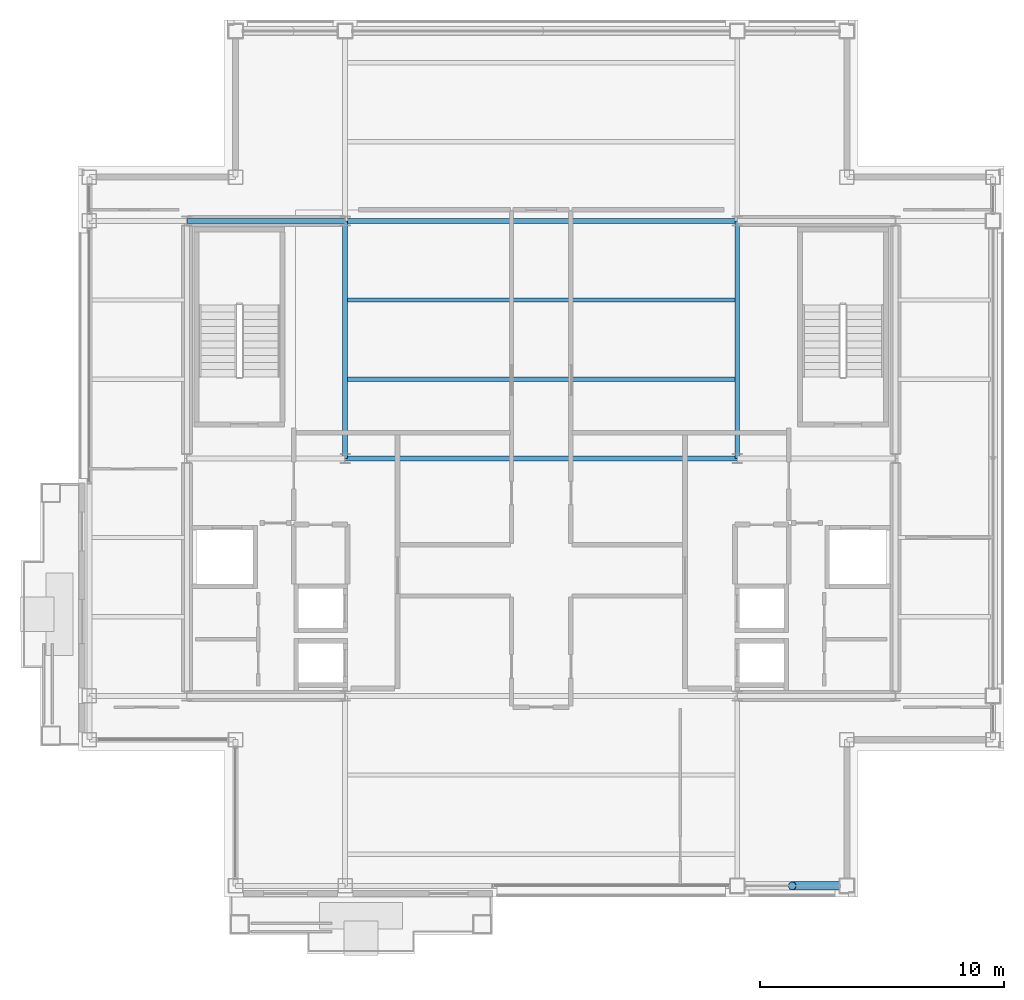
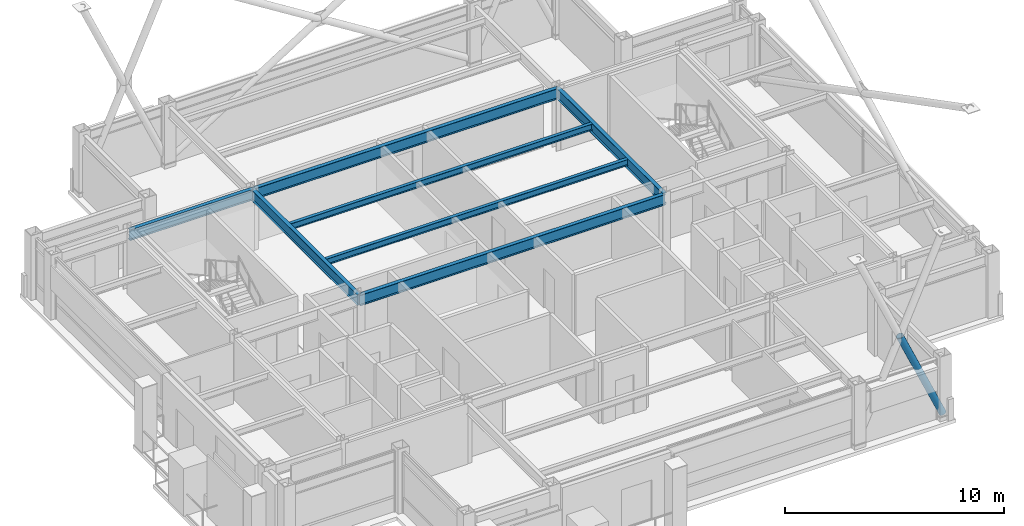
# One storey, part 12 of 27: 7 beams, 1 member.
"""IFC4 building model written with IfcOpenShell, lengths in metres."""

from ifc_helpers import new_model, si_unit, direction, frame, origin, origin_2d, place, context, subcontext, project, spatial, hollow_circle, i_section, extrude, material, material_profile, profile_set, type_object, element, save


model = new_model("IFC4")

# Units and contexts
model_context = context("Model", 3, precision=1e-05, world=origin(), true_north=direction((0.0, 1.0)))
body_context = subcontext(model_context, "Body", "Model", "MODEL_VIEW")
ifc_project = project(units=[si_unit("LENGTHUNIT", "METRE"), si_unit("AREAUNIT", "SQUARE_METRE"), si_unit("VOLUMEUNIT", "CUBIC_METRE"), si_unit("PLANEANGLEUNIT", "RADIAN"), si_unit("MASSUNIT", "GRAM", prefix="KILO")], contexts=[model_context])

# Site, building, storey
site_placement = place(None, origin())
site = spatial("IfcSite", under=ifc_project, at=site_placement, CompositionType="ELEMENT")
building_placement = place(site_placement, origin())
building = spatial("IfcBuilding", under=site, at=building_placement, Name="Brelmoor Portico Tower", CompositionType="ELEMENT")
storey_placement = place(building_placement, frame((0.0, 0.0, 258.0)))
storey = spatial("IfcBuildingStorey", under=building, at=storey_placement, Name="L68", CompositionType="ELEMENT", Elevation=258.0)

# Beams
ifc_material = material(Name="Steel Q355B", Category="steel")
ifc_material_profile_1 = material_profile(ifc_material, i_section(OverallWidth=0.175048828125, OverallDepth=0.35009765625, WebThickness=0.007080078125, FlangeThickness=0.010986328125, at=origin_2d()), Name="HN 350x175x7x11")
ifc_profile_set_1 = profile_set([ifc_material_profile_1], Name="Steel Q355B")
beam_type_1 = type_object("IfcBeamType", Name="BM-JS-350", PredefinedType="JOIST", material=ifc_profile_set_1)
for number, where, z_axis, x_axis, name in (
    (1, (-7.949951171875, 3.25, 3.22509765625), (1.0, 0.0, 0.0), (0.0, 1.0, 0.0), "L68 Secondary Composite Joist JS-C03"),
    (2, (-7.949951171875, 6.5, 3.22509765625), (1.0, 0.0, 0.0), (0.0, 1.0, 0.0), "L68 Secondary Composite Joist JS-C04"),
):
    element("IfcBeam", number, at=place(storey_placement, frame(where, z_axis=z_axis, x_axis=x_axis)), inside=storey, type_object=beam_type_1, Name=name, PredefinedType="JOIST", context=body_context, shape_type="SweptSolid", body=[
        extrude(i_section(OverallWidth=0.175048828125, OverallDepth=0.35009765625, WebThickness=0.007080078125, FlangeThickness=0.010986328125, at=origin_2d()), origin(), (0.0, 0.0, 1.0), 15.89990234375),
    ])
ifc_material_profile_2 = material_profile(ifc_material, i_section(OverallWidth=0.199951171875, OverallDepth=0.60009765625, WebThickness=0.010986328125, FlangeThickness=0.01708984375, at=origin_2d()), Name="HN 600x200x11x17")
ifc_profile_set_2 = profile_set([ifc_material_profile_2], Name="Steel Q355B")
beam_type_2 = type_object("IfcBeamType", Name="BM-PG-600", PredefinedType="BEAM", material=ifc_profile_set_2)
for number, where, z_axis, x_axis, name in (
    (3, (-8.050048828125, 0.0, 3.10009765625), (0.0, 1.0, 0.0), (-1.0, 0.0, 0.0), "L68 Primary Floor Girder PG-04"),
    (4, (8.050048828125, 0.0, 3.10009765625), (0.0, 1.0, 0.0), (-1.0, 0.0, 0.0), "L68 Primary Floor Girder PG-07"),
):
    element("IfcBeam", number, at=place(storey_placement, frame(where, z_axis=z_axis, x_axis=x_axis)), inside=storey, type_object=beam_type_2, Name=name, PredefinedType="BEAM", context=body_context, shape_type="SweptSolid", body=[
        extrude(i_section(OverallWidth=0.199951171875, OverallDepth=0.60009765625, WebThickness=0.010986328125, FlangeThickness=0.01708984375, at=origin_2d()), origin(), (0.0, 0.0, 1.0), 9.75),
    ])
beam_1_placement = place(storey_placement, frame((-8.050048828125, 0.0, 3.10009765625), z_axis=(1.0, 0.0, 0.0), x_axis=(0.0, 1.0, 0.0)))
element("IfcBeam", 5, at=beam_1_placement, inside=storey, type_object=beam_type_2, Name="L68 Primary Floor Girder PG-17", PredefinedType="BEAM", context=body_context, shape_type="SweptSolid", body=[
    extrude(i_section(OverallWidth=0.199951171875, OverallDepth=0.60009765625, WebThickness=0.010986328125, FlangeThickness=0.01708984375, at=origin_2d()), origin(), (0.0, 0.0, 1.0), 16.10009765625),
])
beam_2_placement = place(storey_placement, frame((-14.550048828125, 9.75, 3.10009765625), z_axis=(1.0, 0.0, 0.0), x_axis=(0.0, 1.0, 0.0)))
element("IfcBeam", 6, at=beam_2_placement, inside=storey, type_object=beam_type_2, Name="L68 Primary Floor Girder PG-20", PredefinedType="BEAM", context=body_context, shape_type="SweptSolid", body=[
    extrude(i_section(OverallWidth=0.199951171875, OverallDepth=0.60009765625, WebThickness=0.010986328125, FlangeThickness=0.01708984375, at=origin_2d()), origin(), (0.0, 0.0, 1.0), 6.5),
])
beam_3_placement = place(storey_placement, frame((-8.050048828125, 9.75, 3.10009765625), z_axis=(1.0, 0.0, 0.0), x_axis=(0.0, 1.0, 0.0)))
element("IfcBeam", 7, at=beam_3_placement, inside=storey, type_object=beam_type_2, Name="L68 Primary Floor Girder PG-21", PredefinedType="BEAM", context=body_context, shape_type="SweptSolid", body=[
    extrude(i_section(OverallWidth=0.199951171875, OverallDepth=0.60009765625, WebThickness=0.010986328125, FlangeThickness=0.01708984375, at=origin_2d()), origin(), (0.0, 0.0, 1.0), 16.10009765625),
])

# Member
ifc_material_profile_3 = material_profile(ifc_material, hollow_circle(Radius=0.177978515625, WallThickness=0.01611328125, at=origin_2d()), Name="CHS 356x16")
ifc_profile_set_3 = profile_set([ifc_material_profile_3], Name="Steel Q355B")
member_type = type_object("IfcMemberType", Name="MB-BELT-DIAG2", PredefinedType="BRACE", material=ifc_profile_set_3)
member_placement = place(storey_placement, frame((12.550048828125, -17.550048828125, 0.25), z_axis=(-0.406974140277, 0.0, 0.913439680081), x_axis=(0.0, -1.0, 0.0)))
element("IfcMember", 8, at=member_placement, inside=storey, type_object=member_type, Name="L68 Split Mega-X Brace 150B1", PredefinedType="BRACE", context=body_context, shape_type="SweptSolid", body=[
    extrude(hollow_circle(Radius=0.177978515625, WallThickness=0.01611328125, at=origin_2d()), origin(), (0.0, 0.0, 1.0), 5.528564453125),
])

save(model, "model.ifc")
